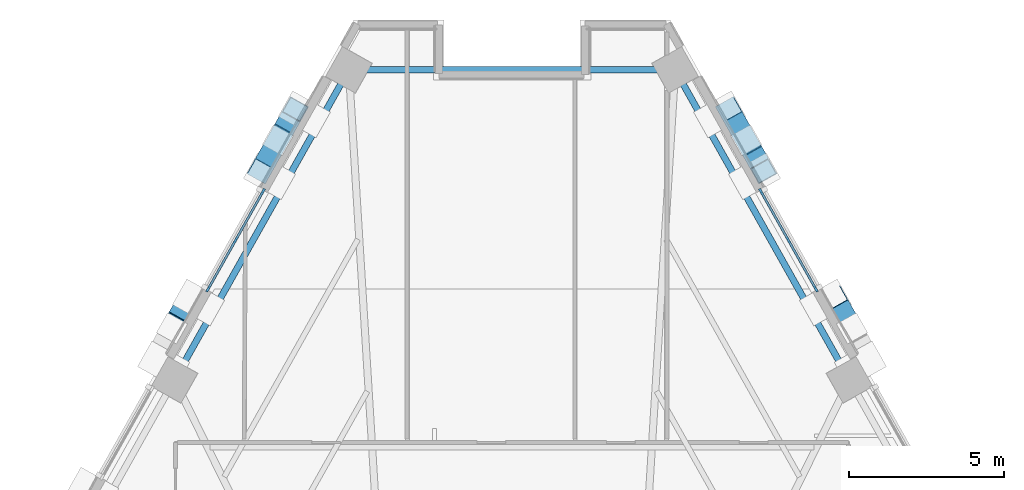
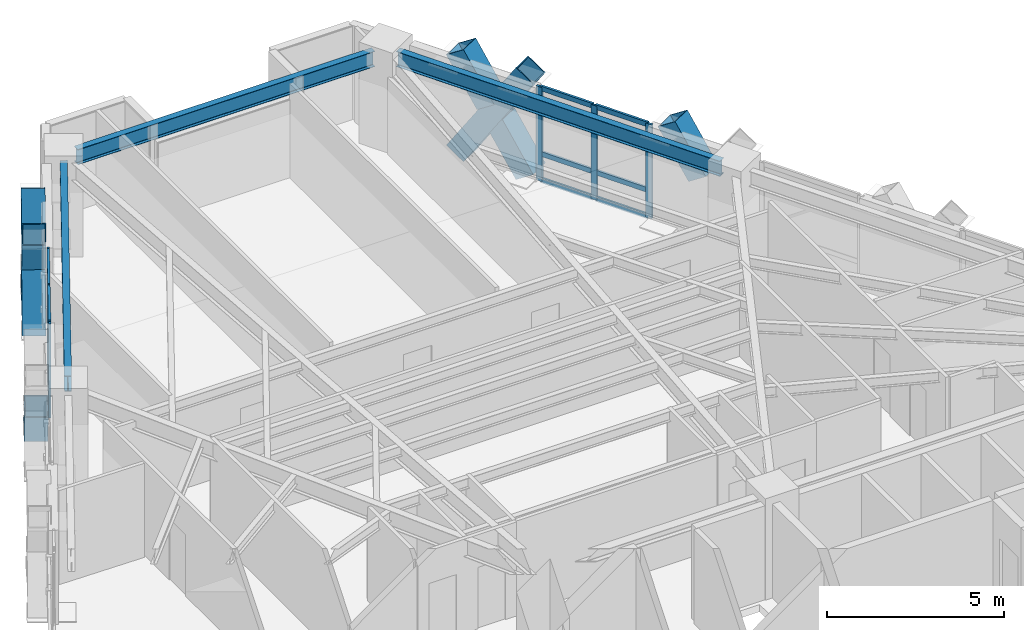
# One storey, part 5 of 14: 26 members, 3 beams, 2 elements without a shape of their own.
"""IFC4 building model written with IfcOpenShell, lengths in metres."""

from ifc_helpers import new_model, si_unit, direction, frame, origin, origin_2d, place, context, subcontext, project, spatial, rectangle, hollow_rectangle, i_section, extrude, material, material_profile, profile_set, type_object, element, aggregate, save


model = new_model("IFC4")

# Units and contexts
model_context = context("Model", 3, precision=1e-05, world=origin(), true_north=direction((0.0, 1.0)))
body_context = subcontext(model_context, "Body", "Model", "MODEL_VIEW")
ifc_project = project(units=[si_unit("LENGTHUNIT", "METRE"), si_unit("AREAUNIT", "SQUARE_METRE"), si_unit("VOLUMEUNIT", "CUBIC_METRE"), si_unit("PLANEANGLEUNIT", "RADIAN"), si_unit("MASSUNIT", "GRAM", prefix="KILO")], contexts=[model_context])

# Site, building, storey
site_placement = place(None, origin())
site = spatial("IfcSite", under=ifc_project, at=site_placement, CompositionType="ELEMENT")
building_placement = place(site_placement, origin())
building = spatial("IfcBuilding", under=site, at=building_placement, Name="Quenlor Broadcast Tower", CompositionType="ELEMENT")
storey_placement = place(building_placement, frame((0.0, 0.0, 80.10009765625)))
storey = spatial("IfcBuildingStorey", under=building, at=storey_placement, Name="L21", CompositionType="ELEMENT", Elevation=80.10009765625)

# Curtain wall, members
ifc_material_1 = material(Name="Architectural Terracotta and Low-E Glazing", Category="masonry")
curtain_wall_type = type_object("IfcCurtainWallType", Name="Unitised Terracotta Curtain Wall System Z2", PredefinedType="NOTDEFINED", material=ifc_material_1)
curtain_wall_1_placement = place(storey_placement, origin())
curtain_wall_1 = element("IfcCurtainWall", 1, at=curtain_wall_1_placement, inside=storey, type_object=curtain_wall_type, Name="L21 Curtain Wall CW2 (L21-NEA-G1)", PredefinedType="NOTDEFINED")
ifc_material_2 = material(Name="Aluminium 6063-T6", Category="aluminium")
ifc_material_profile_1 = material_profile(ifc_material_2, rectangle(XDim=0.074951171875, YDim=0.199951171875, at=origin_2d()))
ifc_profile_set_1 = profile_set([ifc_material_profile_1], Name="Aluminium 6063-T6 MULL75x200")
member_type_1 = type_object("IfcMemberType", Name="CW2 Aluminium Mullion MULL_CW2", PredefinedType="MULLION", material=ifc_profile_set_1)
member_1_placement = place(storey_placement, frame((8.031005859375, 15.79638671875, 0.0), z_axis=(0.0, 0.0, 1.0), x_axis=(0.871573362898, 0.490265104904, 0.0)))
member_1 = element("IfcMember", 2, at=member_1_placement, type_object=member_type_1, Name="CW2 mullion 1", PredefinedType="MULLION", context=body_context, shape_type="SweptSolid", body=[
    extrude(rectangle(XDim=0.074951171875, YDim=0.199951171875, at=origin_2d()), origin(), (0.0, 0.0, 1.0), 3.25),
])
member_2_placement = place(storey_placement, frame((8.916015625, 14.22314453125, 0.0), z_axis=(0.0, 0.0, 1.0), x_axis=(0.871573362898, 0.490265104904, 0.0)))
member_2 = element("IfcMember", 3, at=member_2_placement, type_object=member_type_1, Name="CW2 mullion 2", PredefinedType="MULLION", context=body_context, shape_type="SweptSolid", body=[
    extrude(rectangle(XDim=0.074951171875, YDim=0.199951171875, at=origin_2d()), origin(), (0.0, 0.0, 1.0), 3.25),
])
member_3_placement = place(storey_placement, frame((9.80078125, 12.64990234375, 0.0), z_axis=(0.0, 0.0, 1.0), x_axis=(0.871573362898, 0.490265104904, 0.0)))
member_3 = element("IfcMember", 4, at=member_3_placement, type_object=member_type_1, Name="CW2 mullion 3", PredefinedType="MULLION", context=body_context, shape_type="SweptSolid", body=[
    extrude(rectangle(XDim=0.074951171875, YDim=0.199951171875, at=origin_2d()), origin(), (0.0, 0.0, 1.0), 3.25),
])

curtain_wall_2_placement = place(storey_placement, origin())
curtain_wall_2 = element("IfcCurtainWall", 5, at=curtain_wall_2_placement, inside=storey, type_object=curtain_wall_type, Name="L21 Curtain Wall CW2 (L21-NWC-G1)", PredefinedType="NOTDEFINED")
member_4_placement = place(storey_placement, frame((-9.80078125, 12.64990234375, 0.0), z_axis=(0.0, 0.0, 1.0), x_axis=(-0.871573362898, 0.490265104904, 0.0)))
member_4 = element("IfcMember", 6, at=member_4_placement, type_object=member_type_1, Name="CW2 mullion 1", PredefinedType="MULLION", context=body_context, shape_type="SweptSolid", body=[
    extrude(rectangle(XDim=0.074951171875, YDim=0.199951171875, at=origin_2d()), origin(), (0.0, 0.0, 1.0), 3.25),
])
member_5_placement = place(storey_placement, frame((-8.916015625, 14.22314453125, 0.0), z_axis=(0.0, 0.0, 1.0), x_axis=(-0.871573362898, 0.490265104904, 0.0)))
member_5 = element("IfcMember", 7, at=member_5_placement, type_object=member_type_1, Name="CW2 mullion 2", PredefinedType="MULLION", context=body_context, shape_type="SweptSolid", body=[
    extrude(rectangle(XDim=0.074951171875, YDim=0.199951171875, at=origin_2d()), origin(), (0.0, 0.0, 1.0), 3.25),
])
member_6_placement = place(storey_placement, frame((-8.031005859375, 15.79638671875, 0.0), z_axis=(0.0, 0.0, 1.0), x_axis=(-0.871573362898, 0.490265104904, 0.0)))
member_6 = element("IfcMember", 8, at=member_6_placement, type_object=member_type_1, Name="CW2 mullion 3", PredefinedType="MULLION", context=body_context, shape_type="SweptSolid", body=[
    extrude(rectangle(XDim=0.074951171875, YDim=0.199951171875, at=origin_2d()), origin(), (0.0, 0.0, 1.0), 3.25),
])

# Member
ifc_material_3 = material(Name="Aluminium 6063-T6", Category="aluminium")
ifc_material_profile_2 = material_profile(ifc_material_3, rectangle(XDim=0.074951171875, YDim=0.1650390625, at=origin_2d()))
ifc_profile_set_2 = profile_set([ifc_material_profile_2], Name="Aluminium 6063-T6 TRAN75x165")
member_type_2 = type_object("IfcMemberType", Name="CW2 Aluminium Transom TRAN_CW2", PredefinedType="USERDEFINED", material=ifc_profile_set_2)
member_7_placement = place(storey_placement, frame((8.04931640625, 15.763671875, 0.037353515625), z_axis=(0.490261239633, -0.871575537125, 0.0), x_axis=(0.871575537125, 0.490261239633, 0.0)))
member_7 = element("IfcMember", 9, at=member_7_placement, type_object=member_type_2, Name="CW2 transom 1.1", ObjectType="TRANSOM", PredefinedType="USERDEFINED", context=body_context, shape_type="SweptSolid", body=[
    extrude(rectangle(XDim=0.074951171875, YDim=0.1650390625, at=origin_2d()), origin(), (0.0, 0.0, 1.0), 1.72998046875),
])

member_8_placement = place(storey_placement, frame((8.04931640625, 15.763671875, 0.949951171875), z_axis=(0.490261239633, -0.871575537125, 0.0), x_axis=(0.871575537125, 0.490261239633, 0.0)))
member_8 = element("IfcMember", 10, at=member_8_placement, type_object=member_type_2, Name="CW2 transom 1.2", ObjectType="TRANSOM", PredefinedType="USERDEFINED", context=body_context, shape_type="SweptSolid", body=[
    extrude(rectangle(XDim=0.074951171875, YDim=0.1650390625, at=origin_2d()), origin(), (0.0, 0.0, 1.0), 1.72998046875),
])

member_9_placement = place(storey_placement, frame((8.04931640625, 15.763671875, 3.21240234375), z_axis=(0.490261239633, -0.871575537125, 0.0), x_axis=(0.871575537125, 0.490261239633, 0.0)))
member_9 = element("IfcMember", 11, at=member_9_placement, type_object=member_type_2, Name="CW2 transom 1.3", ObjectType="TRANSOM", PredefinedType="USERDEFINED", context=body_context, shape_type="SweptSolid", body=[
    extrude(rectangle(XDim=0.074951171875, YDim=0.1650390625, at=origin_2d()), origin(), (0.0, 0.0, 1.0), 1.72998046875),
])

member_10_placement = place(storey_placement, frame((8.934326171875, 14.1904296875, 0.037353515625), z_axis=(0.490261239633, -0.871575537125, 0.0), x_axis=(0.871575537125, 0.490261239633, 0.0)))
member_10 = element("IfcMember", 12, at=member_10_placement, type_object=member_type_2, Name="CW2 transom 2.1", ObjectType="TRANSOM", PredefinedType="USERDEFINED", context=body_context, shape_type="SweptSolid", body=[
    extrude(rectangle(XDim=0.074951171875, YDim=0.1650390625, at=origin_2d()), origin(), (0.0, 0.0, 1.0), 1.72998046875),
])

member_11_placement = place(storey_placement, frame((8.934326171875, 14.1904296875, 0.949951171875), z_axis=(0.490261239633, -0.871575537125, 0.0), x_axis=(0.871575537125, 0.490261239633, 0.0)))
member_11 = element("IfcMember", 13, at=member_11_placement, type_object=member_type_2, Name="CW2 transom 2.2", ObjectType="TRANSOM", PredefinedType="USERDEFINED", context=body_context, shape_type="SweptSolid", body=[
    extrude(rectangle(XDim=0.074951171875, YDim=0.1650390625, at=origin_2d()), origin(), (0.0, 0.0, 1.0), 1.72998046875),
])

member_12_placement = place(storey_placement, frame((8.934326171875, 14.1904296875, 3.21240234375), z_axis=(0.490261239633, -0.871575537125, 0.0), x_axis=(0.871575537125, 0.490261239633, 0.0)))
member_12 = element("IfcMember", 14, at=member_12_placement, type_object=member_type_2, Name="CW2 transom 2.3", ObjectType="TRANSOM", PredefinedType="USERDEFINED", context=body_context, shape_type="SweptSolid", body=[
    extrude(rectangle(XDim=0.074951171875, YDim=0.1650390625, at=origin_2d()), origin(), (0.0, 0.0, 1.0), 1.72998046875),
])

aggregate(curtain_wall_1, [member_1, member_2, member_3, member_7, member_8, member_9, member_10, member_11, member_12])

member_13_placement = place(storey_placement, frame((-9.782470703125, 12.6826171875, 0.037353515625), z_axis=(0.490261239633, 0.871575537125, 0.0), x_axis=(-0.871575537125, 0.490261239633, 0.0)))
member_13 = element("IfcMember", 15, at=member_13_placement, type_object=member_type_2, Name="CW2 transom 1.1", ObjectType="TRANSOM", PredefinedType="USERDEFINED", context=body_context, shape_type="SweptSolid", body=[
    extrude(rectangle(XDim=0.074951171875, YDim=0.1650390625, at=origin_2d()), origin(), (0.0, 0.0, 1.0), 1.72998046875),
])

member_14_placement = place(storey_placement, frame((-9.782470703125, 12.6826171875, 0.949951171875), z_axis=(0.490261239633, 0.871575537125, 0.0), x_axis=(-0.871575537125, 0.490261239633, 0.0)))
member_14 = element("IfcMember", 16, at=member_14_placement, type_object=member_type_2, Name="CW2 transom 1.2", ObjectType="TRANSOM", PredefinedType="USERDEFINED", context=body_context, shape_type="SweptSolid", body=[
    extrude(rectangle(XDim=0.074951171875, YDim=0.1650390625, at=origin_2d()), origin(), (0.0, 0.0, 1.0), 1.72998046875),
])

member_15_placement = place(storey_placement, frame((-9.782470703125, 12.6826171875, 3.21240234375), z_axis=(0.490261239633, 0.871575537125, 0.0), x_axis=(-0.871575537125, 0.490261239633, 0.0)))
member_15 = element("IfcMember", 17, at=member_15_placement, type_object=member_type_2, Name="CW2 transom 1.3", ObjectType="TRANSOM", PredefinedType="USERDEFINED", context=body_context, shape_type="SweptSolid", body=[
    extrude(rectangle(XDim=0.074951171875, YDim=0.1650390625, at=origin_2d()), origin(), (0.0, 0.0, 1.0), 1.72998046875),
])

member_16_placement = place(storey_placement, frame((-8.8974609375, 14.255859375, 0.037353515625), z_axis=(0.490261239633, 0.871575537125, 0.0), x_axis=(-0.871575537125, 0.490261239633, 0.0)))
member_16 = element("IfcMember", 18, at=member_16_placement, type_object=member_type_2, Name="CW2 transom 2.1", ObjectType="TRANSOM", PredefinedType="USERDEFINED", context=body_context, shape_type="SweptSolid", body=[
    extrude(rectangle(XDim=0.074951171875, YDim=0.1650390625, at=origin_2d()), origin(), (0.0, 0.0, 1.0), 1.72998046875),
])

member_17_placement = place(storey_placement, frame((-8.8974609375, 14.255859375, 0.949951171875), z_axis=(0.490261239633, 0.871575537125, 0.0), x_axis=(-0.871575537125, 0.490261239633, 0.0)))
member_17 = element("IfcMember", 19, at=member_17_placement, type_object=member_type_2, Name="CW2 transom 2.2", ObjectType="TRANSOM", PredefinedType="USERDEFINED", context=body_context, shape_type="SweptSolid", body=[
    extrude(rectangle(XDim=0.074951171875, YDim=0.1650390625, at=origin_2d()), origin(), (0.0, 0.0, 1.0), 1.72998046875),
])

member_18_placement = place(storey_placement, frame((-8.8974609375, 14.255859375, 3.21240234375), z_axis=(0.490261239633, 0.871575537125, 0.0), x_axis=(-0.871575537125, 0.490261239633, 0.0)))
member_18 = element("IfcMember", 20, at=member_18_placement, type_object=member_type_2, Name="CW2 transom 2.3", ObjectType="TRANSOM", PredefinedType="USERDEFINED", context=body_context, shape_type="SweptSolid", body=[
    extrude(rectangle(XDim=0.074951171875, YDim=0.1650390625, at=origin_2d()), origin(), (0.0, 0.0, 1.0), 1.72998046875),
])

aggregate(curtain_wall_2, [member_4, member_5, member_6, member_13, member_14, member_15, member_16, member_17, member_18])

# Members
ifc_material_4 = material(Name="Steel S355", Category="steel")
ifc_material_profile_3 = material_profile(ifc_material_4, hollow_rectangle(XDim=0.679931640625, YDim=0.679931640625, WallThickness=0.030029296875, at=origin_2d()))
ifc_profile_set_3 = profile_set([ifc_material_profile_3], Name="Steel S355 RHS680x680x30")
member_type_3 = type_object("IfcMemberType", Name="Perimeter Diagonal Lattice Brace Z2 Steel S355 RHS680x30", PredefinedType="BRACE", material=ifc_profile_set_3)
member_19_placement = place(storey_placement, frame((6.99169921875, 18.44970703125, -0.1201171875), z_axis=(0.26858823371, -0.477600411236, 0.836515515636), x_axis=(0.871623880158, 0.490175286544, 0.0)))
element("IfcMember", 21, at=member_19_placement, inside=storey, type_object=member_type_3, Name="L21 Perimeter Diamond Lattice NE-C1XA", PredefinedType="BRACE", context=body_context, shape_type="SweptSolid", body=[
    extrude(hollow_rectangle(XDim=0.679931640625, YDim=0.679931640625, WallThickness=0.030029296875, at=origin_2d()), origin(), (0.0, 0.0, 1.0), 4.18408203125),
])
member_20_placement = place(storey_placement, frame((8.115478515625, 16.451416015625, -0.1201171875), z_axis=(-0.268503779961, 0.477634562182, 0.836523128883), x_axis=(-0.871704696361, -0.490031552394, 0.0)))
element("IfcMember", 22, at=member_20_placement, inside=storey, type_object=member_type_3, Name="L21 Perimeter Diamond Lattice NE-C1XB1", PredefinedType="BRACE", context=body_context, shape_type="SweptSolid", body=[
    extrude(hollow_rectangle(XDim=0.679931640625, YDim=0.679931640625, WallThickness=0.030029296875, at=origin_2d()), origin(), (0.0, 0.0, 1.0), 1.84228515625),
])
member_21_placement = place(storey_placement, frame((7.486328125, 17.570068359375, 1.839111328125), z_axis=(-0.268550551161, 0.477585210185, 0.836536292389), x_axis=(-0.871646597174, -0.490134889224, 0.0)))
element("IfcMember", 23, at=member_21_placement, inside=storey, type_object=member_type_3, Name="L21 Perimeter Diamond Lattice NE-C1XB2", PredefinedType="BRACE", context=body_context, shape_type="SweptSolid", body=[
    extrude(hollow_rectangle(XDim=0.679931640625, YDim=0.679931640625, WallThickness=0.030029296875, at=origin_2d()), origin(), (0.0, 0.0, 1.0), 1.841796875),
])
member_22_placement = place(storey_placement, frame((10.8994140625, 11.502197265625, 1.839111328125), z_axis=(-0.268533549845, 0.477687519073, 0.836483333205), x_axis=(-0.871704696361, -0.490031552394, 0.0)))
element("IfcMember", 24, at=member_22_placement, inside=storey, type_object=member_type_3, Name="L21 Perimeter Diamond Lattice NE-C2XB2", PredefinedType="BRACE", context=body_context, shape_type="SweptSolid", body=[
    extrude(hollow_rectangle(XDim=0.679931640625, YDim=0.679931640625, WallThickness=0.030029296875, at=origin_2d()), origin(), (0.0, 0.0, 1.0), 1.842041015625),
])
member_23_placement = place(storey_placement, frame((-10.40478515625, 12.382080078125, -0.1201171875), z_axis=(-0.268503779961, -0.477634562182, 0.836523128883), x_axis=(0.871704696361, -0.490031552394, 0.0)))
element("IfcMember", 25, at=member_23_placement, inside=storey, type_object=member_type_3, Name="L21 Perimeter Diamond Lattice NW-C4XB1", PredefinedType="BRACE", context=body_context, shape_type="SweptSolid", body=[
    extrude(hollow_rectangle(XDim=0.679931640625, YDim=0.679931640625, WallThickness=0.030029296875, at=origin_2d()), origin(), (0.0, 0.0, 1.0), 1.84228515625),
])
member_24_placement = place(storey_placement, frame((-8.115478515625, 16.451416015625, -0.1201171875), z_axis=(0.26858823371, 0.477600411236, 0.836515515636), x_axis=(-0.871623880158, 0.490175286544, 0.0)))
element("IfcMember", 26, at=member_24_placement, inside=storey, type_object=member_type_3, Name="L21 Perimeter Diamond Lattice NW-C5XA", PredefinedType="BRACE", context=body_context, shape_type="SweptSolid", body=[
    extrude(hollow_rectangle(XDim=0.679931640625, YDim=0.679931640625, WallThickness=0.030029296875, at=origin_2d()), origin(), (0.0, 0.0, 1.0), 4.18408203125),
])
for number, where, z_axis, x_axis, name in (
    (27, (-6.99169921875, 18.44970703125, -0.1201171875), (-0.268520775624, -0.477532257933, 0.836576078843), (0.871646597174, -0.490134889224, 0.0), "L21 Perimeter Diamond Lattice NW-C5XB1"),
    (28, (-7.620849609375, 17.331298828125, 1.839111328125), (-0.268533549845, -0.477687519073, 0.836483333205), (0.871704696361, -0.490031552394, 0.0), "L21 Perimeter Diamond Lattice NW-C5XB2"),
):
    element("IfcMember", number, at=place(storey_placement, frame(where, z_axis=z_axis, x_axis=x_axis)), inside=storey, type_object=member_type_3, Name=name, PredefinedType="BRACE", context=body_context, shape_type="SweptSolid", body=[
        extrude(hollow_rectangle(XDim=0.679931640625, YDim=0.679931640625, WallThickness=0.030029296875, at=origin_2d()), origin(), (0.0, 0.0, 1.0), 1.842041015625),
    ])

# Beams
ifc_material_5 = material(Name="Steel S355", Category="steel")
ifc_material_profile_4 = material_profile(ifc_material_5, i_section(OverallWidth=0.208984375, OverallDepth=0.5283203125, WebThickness=0.009521484375, FlangeThickness=0.01318359375, FilletRadius=0.013916015625, at=origin_2d()))
ifc_profile_set_4 = profile_set([ifc_material_profile_4], Name="Steel S355 530UB82.0")
beam_type = type_object("IfcBeamType", Name="Perimeter Spandrel Beam Z2 Steel S355 530UB82.0", PredefinedType="SPANDREL", material=ifc_profile_set_4)
beam_1_placement = place(storey_placement, frame((10.685791015625, 10.076904296875, 2.98583984375), z_axis=(-0.490236213386, 0.871589613916, 0.0), x_axis=(-0.871589613916, -0.490236213386, 0.0)))
element("IfcBeam", 29, at=beam_1_placement, inside=storey, type_object=beam_type, Name="L21 Spandrel Beam NE3-NE4", PredefinedType="SPANDREL", context=body_context, shape_type="SweptSolid", body=[
    extrude(i_section(OverallWidth=0.208984375, OverallDepth=0.5283203125, WebThickness=0.009521484375, FlangeThickness=0.01318359375, FilletRadius=0.013916015625, at=origin_2d()), origin(), (0.0, 0.0, 1.0), 10.65283203125),
])
beam_2_placement = place(storey_placement, frame((4.852294921875, 19.718994140625, 2.98583984375), z_axis=(-1.0, 0.0, 0.0), x_axis=(0.0, -1.0, 0.0)))
element("IfcBeam", 30, at=beam_2_placement, inside=storey, type_object=beam_type, Name="L21 Spandrel Beam NE4-NW1", PredefinedType="SPANDREL", context=body_context, shape_type="SweptSolid", body=[
    extrude(i_section(OverallWidth=0.208984375, OverallDepth=0.5283203125, WebThickness=0.009521484375, FlangeThickness=0.01318359375, FilletRadius=0.013916015625, at=origin_2d()), origin(), (0.0, 0.0, 1.0), 9.70458984375),
])
beam_3_placement = place(storey_placement, frame((-5.46337890625, 19.36181640625, 2.98583984375), z_axis=(-0.490236213386, -0.871589613916, 0.0), x_axis=(0.871589613916, -0.490236213386, 0.0)))
element("IfcBeam", 31, at=beam_3_placement, inside=storey, type_object=beam_type, Name="L21 Spandrel Beam NW1-NW2", PredefinedType="SPANDREL", context=body_context, shape_type="SweptSolid", body=[
    extrude(i_section(OverallWidth=0.208984375, OverallDepth=0.5283203125, WebThickness=0.009521484375, FlangeThickness=0.01318359375, FilletRadius=0.013916015625, at=origin_2d()), origin(), (0.0, 0.0, 1.0), 10.65283203125),
])

save(model, "model.ifc")
